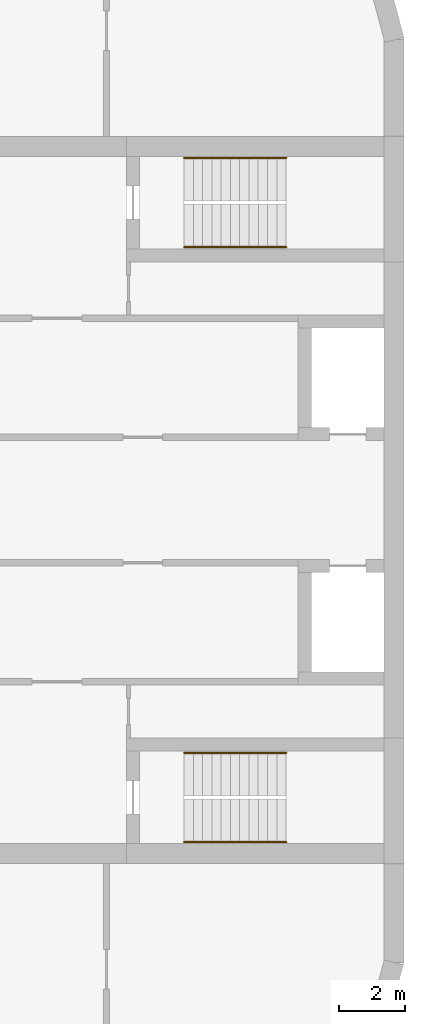
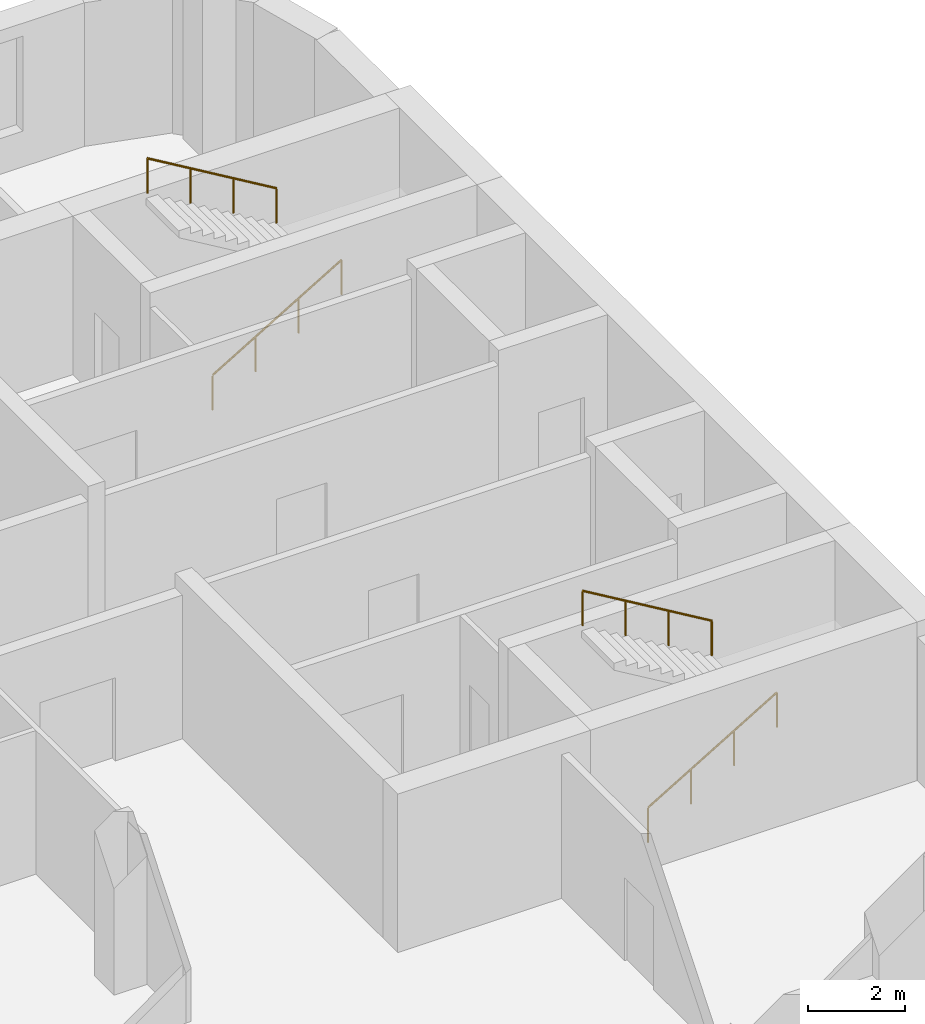
# One storey, part 14 of 16: 4 railings.
"""IFC4 building model written with IfcOpenShell, lengths in metres."""

from ifc_helpers import new_model, si_unit, direction, frame, origin, origin_2d, place, context, subcontext, project, spatial, circle, extrude, material, type_object, element, save


model = new_model("IFC4")

# Units and contexts
model_context = context("Model", 3, precision=1e-05, world=origin(), true_north=direction((0.0, 1.0)))
body_context = subcontext(model_context, "Body", "Model", "MODEL_VIEW")
ifc_project = project(units=[si_unit("LENGTHUNIT", "METRE"), si_unit("AREAUNIT", "SQUARE_METRE"), si_unit("VOLUMEUNIT", "CUBIC_METRE"), si_unit("PLANEANGLEUNIT", "RADIAN"), si_unit("MASSUNIT", "GRAM", prefix="KILO")], contexts=[model_context])

# Site, building, storey
site_placement = place(None, origin())
site = spatial("IfcSite", under=ifc_project, at=site_placement, CompositionType="ELEMENT")
building_placement = place(site_placement, origin())
building = spatial("IfcBuilding", under=site, at=building_placement, Name="Skarvind Civic Tower", CompositionType="ELEMENT")
storey_placement = place(building_placement, frame((0.0, 0.0, 43.5)))
storey = spatial("IfcBuildingStorey", under=building, at=storey_placement, Name="L09", CompositionType="ELEMENT", Elevation=43.5)

# Railings
ifc_material = material(Name="Painted steel handrail", Category="steel")
railing_type = type_object("IfcRailingType", Name="Stair handrail 900", PredefinedType="HANDRAIL", material=ifc_material)
railing_1_placement = place(storey_placement, frame((160.35009765625, 135.64990234375, 0.166748046875)))
element("IfcRailing", 1, at=railing_1_placement, inside=storey, type_object=railing_type, Name="Stair handrail", PredefinedType="HANDRAIL", context=body_context, shape_type="SweptSolid", body=[
    extrude(circle(Radius=0.02392578125, at=origin_2d()), frame((0.0, 0.0, 0.8759765625), z_axis=(0.859290745958, 0.0, 0.51148745235), x_axis=(0.0, 1.0, 0.0)), (0.0, 0.0, 1.0), 3.584228515625),
    extrude(circle(Radius=0.02099609375, at=origin_2d()), origin(), (0.0, 0.0, 1.0), 0.851806640625),
    extrude(circle(Radius=0.02099609375, at=origin_2d()), frame((1.026611328125, 0.0, 0.611083984375)), (0.0, 0.0, 1.0), 0.851806640625),
    extrude(circle(Radius=0.02099609375, at=origin_2d()), frame((2.05322265625, 0.0, 1.22216796875)), (0.0, 0.0, 1.0), 0.851806640625),
    extrude(circle(Radius=0.02099609375, at=origin_2d()), frame((3.079833984375, 0.0, 1.833251953125)), (0.0, 0.0, 1.0), 0.851806640625),
])
railing_2_placement = place(storey_placement, frame((163.429931640625, 138.35009765625, 2.166748046875)))
element("IfcRailing", 2, at=railing_2_placement, inside=storey, type_object=railing_type, Name="Stair handrail", PredefinedType="HANDRAIL", context=body_context, shape_type="SweptSolid", body=[
    extrude(circle(Radius=0.02392578125, at=origin_2d()), frame((0.0, 0.0, 0.8759765625), z_axis=(-0.859290745958, 0.0, 0.51148745235), x_axis=(0.0, -1.0, 0.0)), (0.0, 0.0, 1.0), 3.584228515625),
    extrude(circle(Radius=0.02099609375, at=origin_2d()), origin(), (0.0, 0.0, 1.0), 0.851806640625),
    extrude(circle(Radius=0.02099609375, at=origin_2d()), frame((-1.026611328125, 0.0, 0.611083984375)), (0.0, 0.0, 1.0), 0.851806640625),
    extrude(circle(Radius=0.02099609375, at=origin_2d()), frame((-2.05322265625, 0.0, 1.22216796875)), (0.0, 0.0, 1.0), 0.851806640625),
    extrude(circle(Radius=0.02099609375, at=origin_2d()), frame((-3.079833984375, 0.0, 1.833251953125)), (0.0, 0.0, 1.0), 0.851806640625),
])
railing_3_placement = place(storey_placement, frame((160.35009765625, 117.64990234375, 0.166748046875)))
element("IfcRailing", 3, at=railing_3_placement, inside=storey, type_object=railing_type, Name="Stair handrail", PredefinedType="HANDRAIL", context=body_context, shape_type="SweptSolid", body=[
    extrude(circle(Radius=0.02392578125, at=origin_2d()), frame((0.0, 0.0, 0.8759765625), z_axis=(0.859290745958, 0.0, 0.51148745235), x_axis=(0.0, 1.0, 0.0)), (0.0, 0.0, 1.0), 3.584228515625),
    extrude(circle(Radius=0.02099609375, at=origin_2d()), origin(), (0.0, 0.0, 1.0), 0.851806640625),
    extrude(circle(Radius=0.02099609375, at=origin_2d()), frame((1.026611328125, 0.0, 0.611083984375)), (0.0, 0.0, 1.0), 0.851806640625),
    extrude(circle(Radius=0.02099609375, at=origin_2d()), frame((2.05322265625, 0.0, 1.22216796875)), (0.0, 0.0, 1.0), 0.851806640625),
    extrude(circle(Radius=0.02099609375, at=origin_2d()), frame((3.079833984375, 0.0, 1.833251953125)), (0.0, 0.0, 1.0), 0.851806640625),
])
railing_4_placement = place(storey_placement, frame((163.429931640625, 120.35009765625, 2.166748046875)))
element("IfcRailing", 4, at=railing_4_placement, inside=storey, type_object=railing_type, Name="Stair handrail", PredefinedType="HANDRAIL", context=body_context, shape_type="SweptSolid", body=[
    extrude(circle(Radius=0.02392578125, at=origin_2d()), frame((0.0, 0.0, 0.8759765625), z_axis=(-0.859290745958, 0.0, 0.51148745235), x_axis=(0.0, -1.0, 0.0)), (0.0, 0.0, 1.0), 3.584228515625),
    extrude(circle(Radius=0.02099609375, at=origin_2d()), origin(), (0.0, 0.0, 1.0), 0.851806640625),
    extrude(circle(Radius=0.02099609375, at=origin_2d()), frame((-1.026611328125, 0.0, 0.611083984375)), (0.0, 0.0, 1.0), 0.851806640625),
    extrude(circle(Radius=0.02099609375, at=origin_2d()), frame((-2.05322265625, 0.0, 1.22216796875)), (0.0, 0.0, 1.0), 0.851806640625),
    extrude(circle(Radius=0.02099609375, at=origin_2d()), frame((-3.079833984375, 0.0, 1.833251953125)), (0.0, 0.0, 1.0), 0.851806640625),
])

save(model, "model.ifc")
